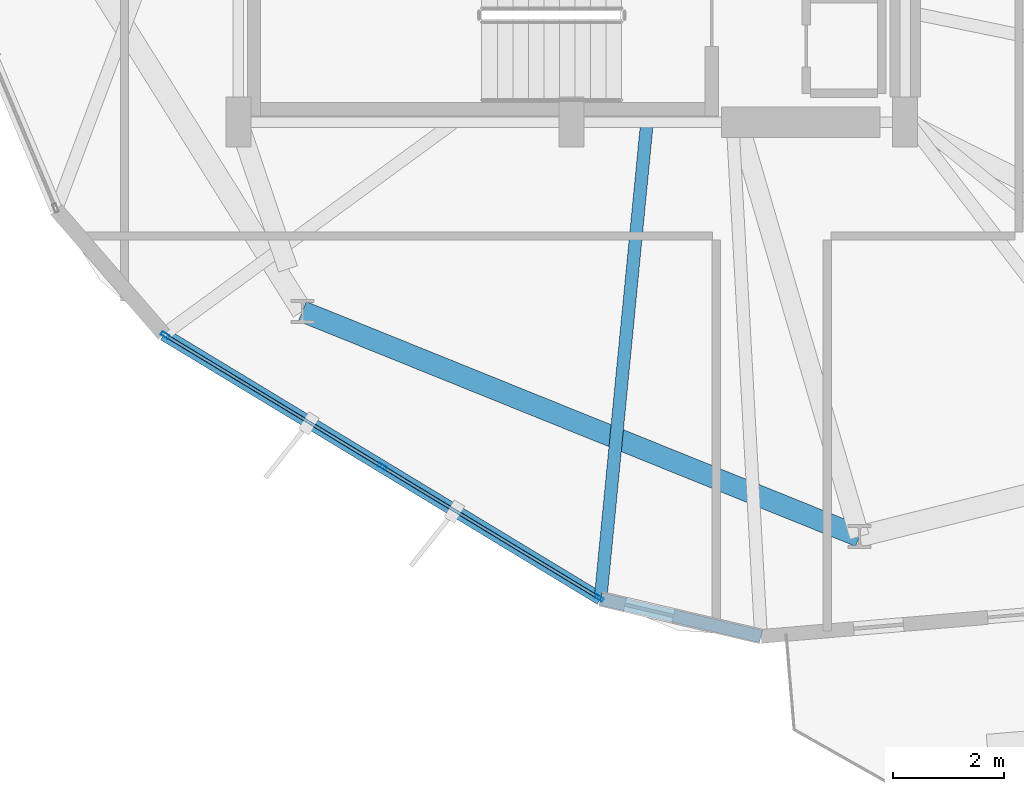
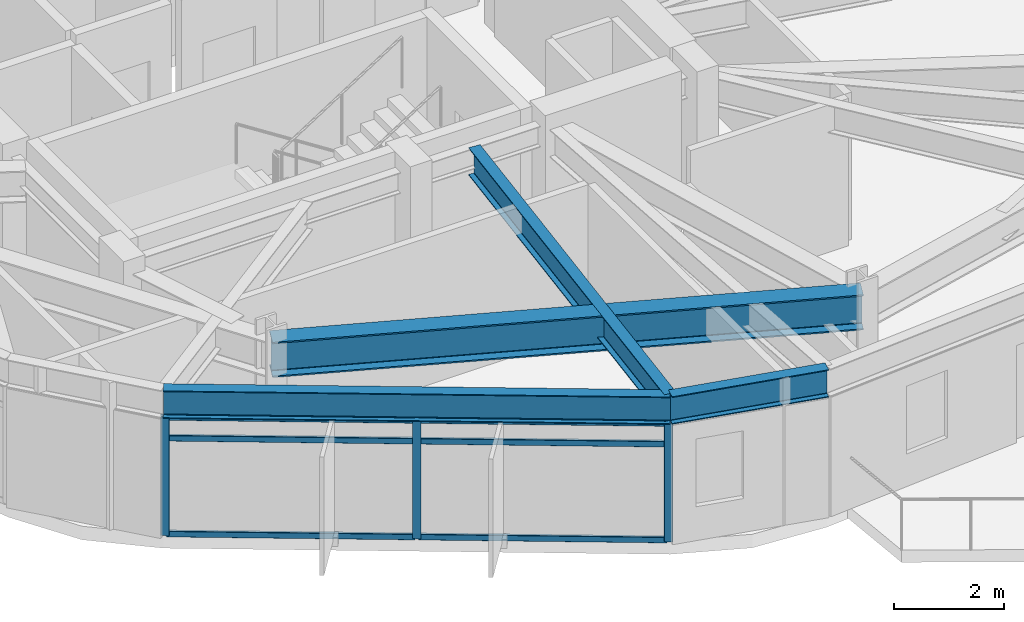
# One storey, part 2 of 27: 9 members, 4 beams, 1 element without a shape of its own.
"""IFC4 building model written with IfcOpenShell, lengths in metres."""

from ifc_helpers import new_model, si_unit, direction, frame, origin, origin_2d, place, context, subcontext, project, spatial, hollow_rectangle, i_section, extrude, material, layer, layer_set, material_profile, profile_set, type_object, element, aggregate, save


model = new_model("IFC4")

# Units and contexts
model_context = context("Model", 3, precision=1e-05, world=origin(), true_north=direction((0.0, 1.0)))
body_context = subcontext(model_context, "Body", "Model", "MODEL_VIEW")
ifc_project = project(units=[si_unit("LENGTHUNIT", "METRE"), si_unit("AREAUNIT", "SQUARE_METRE"), si_unit("VOLUMEUNIT", "CUBIC_METRE"), si_unit("PLANEANGLEUNIT", "RADIAN"), si_unit("MASSUNIT", "GRAM", prefix="KILO")], contexts=[model_context])

# Site, building, storey
site_placement = place(None, origin())
site = spatial("IfcSite", under=ifc_project, at=site_placement, CompositionType="ELEMENT")
building_placement = place(site_placement, origin())
building = spatial("IfcBuilding", under=site, at=building_placement, Name="Soratama Intermodal Tower", CompositionType="ELEMENT")
storey_placement = place(building_placement, frame((0.0, 0.0, 182.199951171875)))
storey = spatial("IfcBuildingStorey", under=building, at=storey_placement, Name="L45", CompositionType="ELEMENT", Elevation=182.199951171875)

# Beams
ifc_material_1 = material(Name="Structural steel ASTM A992 Grade 50", Category="steel")
ifc_material_profile_1 = material_profile(ifc_material_1, i_section(OverallWidth=0.382080078125, OverallDepth=0.779052734375, WebThickness=0.01806640625, FlangeThickness=0.030029296875, FilletRadius=0.01806640625, at=origin_2d()), Name="W30X191")
ifc_profile_set_1 = profile_set([ifc_material_profile_1], Name="Structural steel ASTM A992 Grade 50")
beam_type_1 = type_object("IfcBeamType", Name="BM-RING-W30X191", PredefinedType="BEAM", material=ifc_profile_set_1)
beam_1_placement = place(storey_placement, frame((33.7509765625, 11.593994140625, 2.87060546875), z_axis=(0.927202491827, -0.374560461275, 0.0), x_axis=(0.374560461275, 0.927202491827, 0.0)))
element("IfcBeam", 1, at=beam_1_placement, inside=storey, type_object=beam_type_1, Name="BM-L45-RING-07", PredefinedType="BEAM", context=body_context, shape_type="SweptSolid", body=[
    extrude(i_section(OverallWidth=0.382080078125, OverallDepth=0.779052734375, WebThickness=0.01806640625, FlangeThickness=0.030029296875, FilletRadius=0.01806640625, at=origin_2d()), origin(), (0.0, 0.0, 1.0), 10.8154296875),
])
ifc_material_2 = material(Name="Structural steel ASTM A992 Grade 50", Category="steel")
ifc_material_profile_2 = material_profile(ifc_material_2, i_section(OverallWidth=0.22900390625, OverallDepth=0.612060546875, WebThickness=0.011962890625, FlangeThickness=0.01953125, FilletRadius=0.012939453125, at=origin_2d()), Name="W24X84")
ifc_profile_set_2 = profile_set([ifc_material_profile_2], Name="Structural steel ASTM A992 Grade 50")
beam_type_2 = type_object("IfcBeamType", Name="BM-SPN-W24X84", PredefinedType="SPANDREL", material=ifc_profile_set_2)
beam_2_placement = place(storey_placement, frame((31.259033203125, 11.179931640625, 2.9541015625), z_axis=(0.855368727222, -0.518019633306, 0.0), x_axis=(0.518019633306, 0.855368727222, 0.0)))
element("IfcBeam", 2, at=beam_2_placement, inside=storey, type_object=beam_type_2, Name="BS-L45-F06", PredefinedType="SPANDREL", context=body_context, shape_type="SweptSolid", body=[
    extrude(i_section(OverallWidth=0.22900390625, OverallDepth=0.612060546875, WebThickness=0.011962890625, FlangeThickness=0.01953125, FilletRadius=0.012939453125, at=origin_2d()), origin(), (0.0, 0.0, 1.0), 9.18896484375),
])
beam_3_placement = place(storey_placement, frame((39.118896484375, 6.419921875, 2.9541015625), z_axis=(0.973610024841, -0.228218140227, 0.0), x_axis=(0.228218140227, 0.973610024841, 0.0)))
element("IfcBeam", 3, at=beam_3_placement, inside=storey, type_object=beam_type_2, Name="BS-L45-CRN06", PredefinedType="SPANDREL", context=body_context, shape_type="SweptSolid", body=[
    extrude(i_section(OverallWidth=0.22900390625, OverallDepth=0.612060546875, WebThickness=0.011962890625, FlangeThickness=0.01953125, FilletRadius=0.012939453125, at=origin_2d()), origin(), (0.0, 0.0, 1.0), 2.966552734375),
])
ifc_material_3 = material(Name="Structural steel ASTM A992 Grade 50", Category="steel")
ifc_material_profile_3 = material_profile(ifc_material_3, i_section(OverallWidth=0.22900390625, OverallDepth=0.612060546875, WebThickness=0.011962890625, FlangeThickness=0.01953125, FilletRadius=0.012939453125, at=origin_2d()), Name="W24X84")
ifc_profile_set_3 = profile_set([ifc_material_profile_3], Name="Structural steel ASTM A992 Grade 50")
beam_type_3 = type_object("IfcBeamType", Name="BM-TIE-W24X84", PredefinedType="BEAM", material=ifc_profile_set_3)
beam_4_placement = place(storey_placement, frame((39.950927734375, 14.9599609375, 2.9541015625), z_axis=(-0.096967976179, -0.995287501979, 0.0), x_axis=(0.995287501979, -0.096967976179, 0.0)))
element("IfcBeam", 4, at=beam_4_placement, inside=storey, type_object=beam_type_3, Name="BM-L45-TIE1-06", PredefinedType="BEAM", context=body_context, shape_type="SweptSolid", body=[
    extrude(i_section(OverallWidth=0.22900390625, OverallDepth=0.612060546875, WebThickness=0.011962890625, FlangeThickness=0.01953125, FilletRadius=0.012939453125, at=origin_2d()), origin(), (0.0, 0.0, 1.0), 8.58056640625),
])

# Curtain wall, members
ifc_material_4 = material(Name="Double-glazed aluminium curtain wall", Category="aluminium")
ifc_layer = layer(ifc_material_4, 0.159912109375)
ifc_layer_set = layer_set([ifc_layer], Name="Double-glazed aluminium curtain wall")
curtain_wall_type = type_object("IfcCurtainWallType", Name="CW-SYS-4", PredefinedType="NOTDEFINED", material=ifc_layer_set)
curtain_wall_placement = place(storey_placement, origin())
curtain_wall = element("IfcCurtainWall", 5, at=curtain_wall_placement, inside=storey, type_object=curtain_wall_type, Name="L45 Faceted Curtain Wall F06", PredefinedType="NOTDEFINED")
ifc_material_5 = material(Name="Anodised aluminium AA 6063-T6", Category="aluminium")
ifc_material_profile_4 = material_profile(ifc_material_5, hollow_rectangle(XDim=0.070068359375, YDim=0.159912109375, WallThickness=0.0048828125, InnerFilletRadius=0.0048828125, OuterFilletRadius=0.010009765625, at=origin_2d()), Name="CWM160X70X5")
ifc_profile_set_4 = profile_set([ifc_material_profile_4], Name="Anodised aluminium AA 6063-T6")
member_type_1 = type_object("IfcMemberType", Name="MT-CWM-4", PredefinedType="MULLION", material=ifc_profile_set_4)
member_1_placement = place(storey_placement, frame((31.28515625, 11.16455078125, 0.0), z_axis=(0.0, 0.0, 1.0), x_axis=(0.51802695324, 0.855364294156, 0.0)))
member_1 = element("IfcMember", 6, at=member_1_placement, type_object=member_type_1, Name="CW-4 mullion 1", PredefinedType="MULLION", context=body_context, shape_type="SweptSolid", body=[
    extrude(hollow_rectangle(XDim=0.070068359375, YDim=0.159912109375, WallThickness=0.0048828125, InnerFilletRadius=0.0048828125, OuterFilletRadius=0.010009765625, at=origin_2d()), origin(), (0.0, 0.0, 1.0), 2.63916015625),
])
member_2_placement = place(storey_placement, frame((35.189208984375, 8.80029296875, 0.0), z_axis=(0.0, 0.0, 1.0), x_axis=(0.51802695324, 0.855364294156, 0.0)))
member_2 = element("IfcMember", 7, at=member_2_placement, type_object=member_type_1, Name="CW-4 mullion 2", PredefinedType="MULLION", context=body_context, shape_type="SweptSolid", body=[
    extrude(hollow_rectangle(XDim=0.070068359375, YDim=0.159912109375, WallThickness=0.0048828125, InnerFilletRadius=0.0048828125, OuterFilletRadius=0.010009765625, at=origin_2d()), origin(), (0.0, 0.0, 1.0), 2.63916015625),
])
member_3_placement = place(storey_placement, frame((39.093017578125, 6.43603515625, 0.0), z_axis=(0.0, 0.0, 1.0), x_axis=(0.51802695324, 0.855364294156, 0.0)))
member_3 = element("IfcMember", 8, at=member_3_placement, type_object=member_type_1, Name="CW-4 mullion 3", PredefinedType="MULLION", context=body_context, shape_type="SweptSolid", body=[
    extrude(hollow_rectangle(XDim=0.070068359375, YDim=0.159912109375, WallThickness=0.0048828125, InnerFilletRadius=0.0048828125, OuterFilletRadius=0.010009765625, at=origin_2d()), origin(), (0.0, 0.0, 1.0), 2.63916015625),
])
ifc_material_6 = material(Name="Anodised aluminium AA 6063-T6", Category="aluminium")
ifc_material_profile_5 = material_profile(ifc_material_6, hollow_rectangle(XDim=0.06005859375, YDim=0.1298828125, WallThickness=0.0048828125, InnerFilletRadius=0.0048828125, OuterFilletRadius=0.010009765625, at=origin_2d()), Name="CWT130X60X5")
ifc_profile_set_5 = profile_set([ifc_material_profile_5], Name="Anodised aluminium AA 6063-T6")
member_type_2 = type_object("IfcMemberType", Name="TT-CWT-2", PredefinedType="USERDEFINED", material=ifc_profile_set_5)
member_4_placement = place(storey_placement, frame((31.310791015625, 11.14892578125, 0.030029296875), z_axis=(0.855357239407, -0.518038601838, 0.0), x_axis=(0.518038601838, 0.855357239407, 0.0)))
member_4 = element("IfcMember", 9, at=member_4_placement, type_object=member_type_2, Name="CW-4 transom 1.1", ObjectType="TRANSOM", PredefinedType="USERDEFINED", context=body_context, shape_type="SweptSolid", body=[
    extrude(hollow_rectangle(XDim=0.06005859375, YDim=0.1298828125, WallThickness=0.0048828125, InnerFilletRadius=0.0048828125, OuterFilletRadius=0.010009765625, at=origin_2d()), origin(), (0.0, 0.0, 1.0), 4.50390625),
])
member_5_placement = place(storey_placement, frame((31.310791015625, 11.14892578125, 2.150146484375), z_axis=(0.855357239407, -0.518038601838, 0.0), x_axis=(0.518038601838, 0.855357239407, 0.0)))
member_5 = element("IfcMember", 10, at=member_5_placement, type_object=member_type_2, Name="CW-4 transom 1.2", ObjectType="TRANSOM", PredefinedType="USERDEFINED", context=body_context, shape_type="SweptSolid", body=[
    extrude(hollow_rectangle(XDim=0.06005859375, YDim=0.1298828125, WallThickness=0.0048828125, InnerFilletRadius=0.0048828125, OuterFilletRadius=0.010009765625, at=origin_2d()), origin(), (0.0, 0.0, 1.0), 4.50390625),
])
member_6_placement = place(storey_placement, frame((31.310791015625, 11.14892578125, 2.609130859375), z_axis=(0.855357239407, -0.518038601838, 0.0), x_axis=(0.518038601838, 0.855357239407, 0.0)))
member_6 = element("IfcMember", 11, at=member_6_placement, type_object=member_type_2, Name="CW-4 transom 1.3", ObjectType="TRANSOM", PredefinedType="USERDEFINED", context=body_context, shape_type="SweptSolid", body=[
    extrude(hollow_rectangle(XDim=0.06005859375, YDim=0.1298828125, WallThickness=0.0048828125, InnerFilletRadius=0.0048828125, OuterFilletRadius=0.010009765625, at=origin_2d()), origin(), (0.0, 0.0, 1.0), 4.50390625),
])
member_7_placement = place(storey_placement, frame((35.21484375, 8.78466796875, 0.030029296875), z_axis=(0.855357239407, -0.518038601838, 0.0), x_axis=(0.518038601838, 0.855357239407, 0.0)))
member_7 = element("IfcMember", 12, at=member_7_placement, type_object=member_type_2, Name="CW-4 transom 2.1", ObjectType="TRANSOM", PredefinedType="USERDEFINED", context=body_context, shape_type="SweptSolid", body=[
    extrude(hollow_rectangle(XDim=0.06005859375, YDim=0.1298828125, WallThickness=0.0048828125, InnerFilletRadius=0.0048828125, OuterFilletRadius=0.010009765625, at=origin_2d()), origin(), (0.0, 0.0, 1.0), 4.50390625),
])
member_8_placement = place(storey_placement, frame((35.21484375, 8.78466796875, 2.150146484375), z_axis=(0.855357239407, -0.518038601838, 0.0), x_axis=(0.518038601838, 0.855357239407, 0.0)))
member_8 = element("IfcMember", 13, at=member_8_placement, type_object=member_type_2, Name="CW-4 transom 2.2", ObjectType="TRANSOM", PredefinedType="USERDEFINED", context=body_context, shape_type="SweptSolid", body=[
    extrude(hollow_rectangle(XDim=0.06005859375, YDim=0.1298828125, WallThickness=0.0048828125, InnerFilletRadius=0.0048828125, OuterFilletRadius=0.010009765625, at=origin_2d()), origin(), (0.0, 0.0, 1.0), 4.50390625),
])
member_9_placement = place(storey_placement, frame((35.21484375, 8.78466796875, 2.609130859375), z_axis=(0.855357239407, -0.518038601838, 0.0), x_axis=(0.518038601838, 0.855357239407, 0.0)))
member_9 = element("IfcMember", 14, at=member_9_placement, type_object=member_type_2, Name="CW-4 transom 2.3", ObjectType="TRANSOM", PredefinedType="USERDEFINED", context=body_context, shape_type="SweptSolid", body=[
    extrude(hollow_rectangle(XDim=0.06005859375, YDim=0.1298828125, WallThickness=0.0048828125, InnerFilletRadius=0.0048828125, OuterFilletRadius=0.010009765625, at=origin_2d()), origin(), (0.0, 0.0, 1.0), 4.50390625),
])
aggregate(curtain_wall, [member_1, member_2, member_3, member_4, member_5, member_6, member_7, member_8, member_9])

save(model, "model.ifc")
